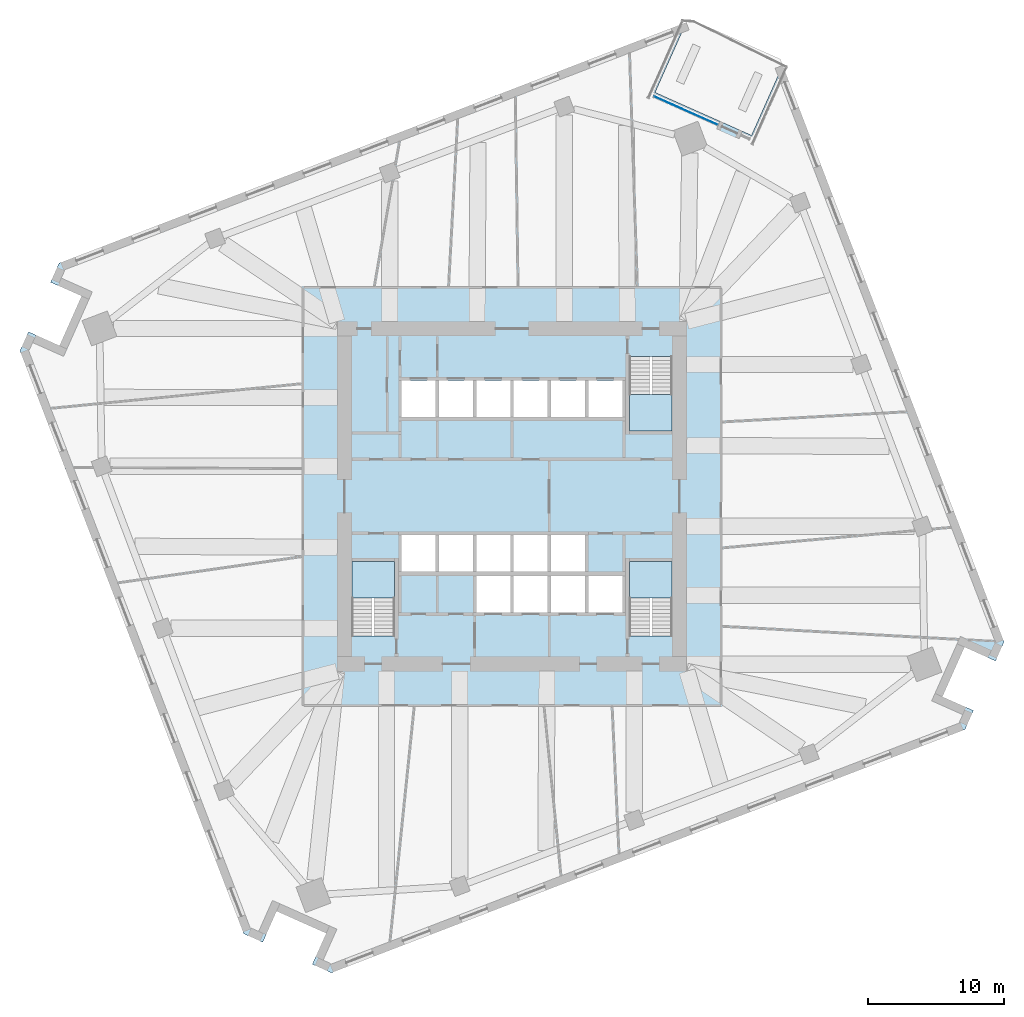
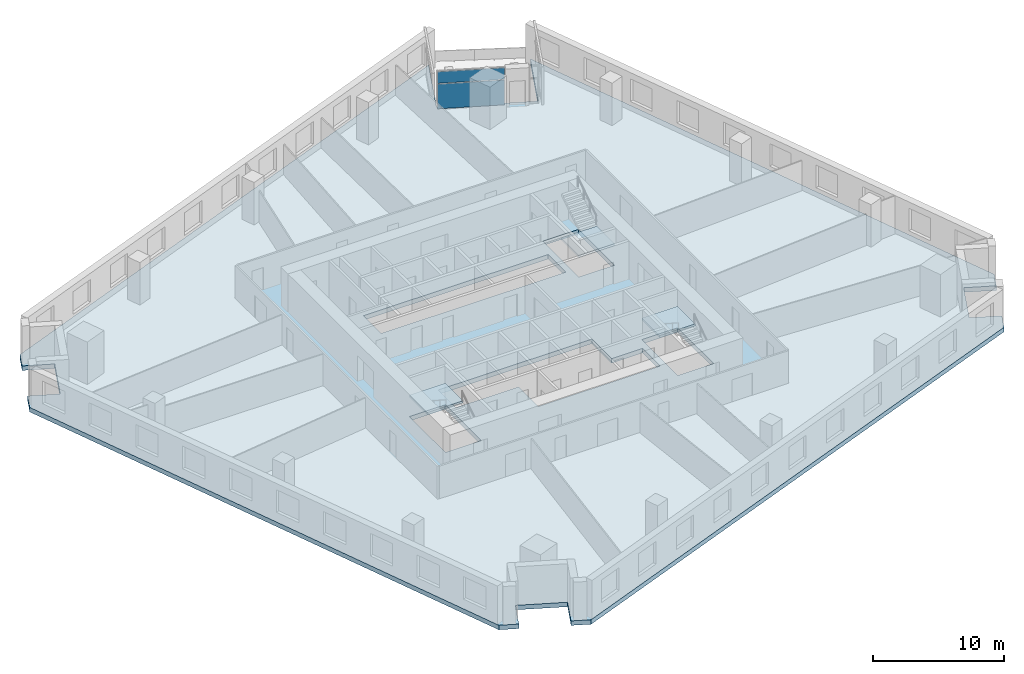
# One storey, part 5 of 14: 4 slabs, 2 plates, 4 elements without a shape of their own.
"""IFC4 building model written with IfcOpenShell, lengths in metres."""

from ifc_helpers import new_model, si_unit, direction, frame, origin, origin_2d, place, context, subcontext, project, spatial, polyline, rectangle, outline, extrude, material, layer, layer_set, type_object, element, aggregate, save


model = new_model("IFC4")

# Units and contexts
model_context = context("Model", 3, precision=1e-05, world=origin(), true_north=direction((0.0, 1.0)))
body_context = subcontext(model_context, "Body", "Model", "MODEL_VIEW")
ifc_project = project(units=[si_unit("LENGTHUNIT", "METRE"), si_unit("AREAUNIT", "SQUARE_METRE"), si_unit("VOLUMEUNIT", "CUBIC_METRE"), si_unit("PLANEANGLEUNIT", "RADIAN"), si_unit("MASSUNIT", "GRAM", prefix="KILO")], contexts=[model_context])

# Site, building, storey
site_placement = place(None, origin())
site = spatial("IfcSite", under=ifc_project, at=site_placement, CompositionType="ELEMENT")
building_placement = place(site_placement, origin())
building = spatial("IfcBuilding", under=site, at=building_placement, Name="Dilmun Exchange Tower", CompositionType="ELEMENT")
storey_placement = place(building_placement, frame((0.0, 0.0, 102.10009765625)))
storey = spatial("IfcBuildingStorey", under=building, at=storey_placement, Name="L23", CompositionType="ELEMENT", Elevation=102.10009765625)

# Stair, slab
ifc_material_1 = material(Name="Concrete C40/50", Category="concrete")
stair_type = type_object("IfcStairType", Name="Exit stair 1500 half-turn", PredefinedType="HALF_TURN_STAIR", material=ifc_material_1)
stair_1_placement = place(storey_placement, origin())
stair_1 = element("IfcStair", 1, at=stair_1_placement, inside=storey, type_object=stair_type, Name="L23 Protected exit stair ST1", PredefinedType="HALF_TURN_STAIR")
ifc_layer_1 = layer(ifc_material_1, 0.199951171875)
ifc_layer_set_1 = layer_set([ifc_layer_1], Name="Concrete C40/50")
slab_type_1 = type_object("IfcSlabType", Name="Exit stair landing 200", PredefinedType="LANDING", material=ifc_layer_set_1)
slab_1_placement = place(storey_placement, frame((0.0, 0.0, 1.7998046875)))
slab_1 = element("IfcSlab", 2, at=slab_1_placement, type_object=slab_type_1, Name="ST1 landing 1", PredefinedType="LANDING", context=body_context, shape_type="SweptSolid", body=[
    extrude(outline(polyline([(8.64990234375, 7.5), (8.64990234375, 4.800048828125), (11.800048828125, 4.800048828125), (11.800048828125, 7.5), (8.64990234375, 7.5)])), origin(), (0.0, 0.0, 1.0), 0.2001953125),
])
aggregate(stair_1, [slab_1])

stair_2_placement = place(storey_placement, origin())
stair_2 = element("IfcStair", 3, at=stair_2_placement, inside=storey, type_object=stair_type, Name="L23 Protected exit stair ST2", PredefinedType="HALF_TURN_STAIR")
slab_2_placement = place(storey_placement, frame((0.0, 0.0, 1.7998046875)))
slab_2 = element("IfcSlab", 4, at=slab_2_placement, type_object=slab_type_1, Name="ST2 landing 1", PredefinedType="LANDING", context=body_context, shape_type="SweptSolid", body=[
    extrude(outline(polyline([(-8.64990234375, -7.5), (-8.64990234375, -4.800048828125), (-11.800048828125, -4.800048828125), (-11.800048828125, -7.5), (-8.64990234375, -7.5)])), origin(), (0.0, 0.0, 1.0), 0.2001953125),
])
aggregate(stair_2, [slab_2])

stair_3_placement = place(storey_placement, origin())
stair_3 = element("IfcStair", 5, at=stair_3_placement, inside=storey, type_object=stair_type, Name="L23 Protected exit stair ST3", PredefinedType="HALF_TURN_STAIR")
slab_3_placement = place(storey_placement, frame((0.0, 0.0, 1.7998046875)))
slab_3 = element("IfcSlab", 6, at=slab_3_placement, type_object=slab_type_1, Name="ST3 landing 1", PredefinedType="LANDING", context=body_context, shape_type="SweptSolid", body=[
    extrude(outline(polyline([(11.800048828125, -7.5), (11.800048828125, -4.800048828125), (8.64990234375, -4.800048828125), (8.64990234375, -7.5), (11.800048828125, -7.5)])), origin(), (0.0, 0.0, 1.0), 0.2001953125),
])
aggregate(stair_3, [slab_3])

# Curtain wall, plates
ifc_material_2 = material(Name="Anodised aluminium and clear glass", Category="aluminium")
curtain_wall_type = type_object("IfcCurtainWallType", Name="Garden corner glazing", PredefinedType="NOTDEFINED", material=ifc_material_2)
curtain_wall_placement = place(storey_placement, origin())
curtain_wall = element("IfcCurtainWall", 7, at=curtain_wall_placement, inside=storey, type_object=curtain_wall_type, Name="Garden corner glazing run GC2.3", PredefinedType="NOTDEFINED")
ifc_material_3 = material(Name="Clear glass", Category="glass")
ifc_layer_2 = layer(ifc_material_3, 0.028076171875)
ifc_layer_set_2 = layer_set([ifc_layer_2], Name="Clear glass")
plate_type = type_object("IfcPlateType", Name="Garden corner glazing glass panel 28", PredefinedType="CURTAIN_PANEL", material=ifc_layer_set_2)
plate_1_placement = place(storey_placement, frame((12.812744140625, 28.42236328125, 0.059814453125), z_axis=(0.0, 0.0, 1.0), x_axis=(-0.913546096719, 0.406735207683, 0.0)))
plate_1 = element("IfcPlate", 8, at=plate_1_placement, type_object=plate_type, Name="GC2.3 panel 1.1", PredefinedType="CURTAIN_PANEL", context=body_context, shape_type="SweptSolid", body=[
    extrude(rectangle(XDim=5.119140625, YDim=0.028076171875, at=origin_2d()), origin(), (0.0, 0.0, 1.0), 2.31005859375),
])
plate_2_placement = place(storey_placement, frame((12.812744140625, 28.42236328125, 2.4296875), z_axis=(0.0, 0.0, 1.0), x_axis=(-0.913546096719, 0.406735207683, 0.0)))
plate_2 = element("IfcPlate", 9, at=plate_2_placement, type_object=plate_type, Name="GC2.3 panel 1.2", PredefinedType="CURTAIN_PANEL", context=body_context, shape_type="SweptSolid", body=[
    extrude(rectangle(XDim=5.119140625, YDim=0.028076171875, at=origin_2d()), origin(), (0.0, 0.0, 1.0), 1.090087890625),
])
aggregate(curtain_wall, [plate_1, plate_2])

# Slab
ifc_layer_3 = layer(ifc_material_1, 0.419921875)
ifc_layer_set_3 = layer_set([ifc_layer_3], Name="Concrete C40/50")
slab_type_2 = type_object("IfcSlabType", Name="RC floor slab 420", PredefinedType="FLOOR", material=ifc_layer_set_3)
slab_4_placement = place(storey_placement, frame((0.0, 0.0, -0.420166015625)))
element("IfcSlab", 10, at=slab_4_placement, inside=storey, type_object=slab_type_2, Name="Floor slab", PredefinedType="FLOOR", context=body_context, shape_type="SweptSolid", body=[
    extrude(outline(polyline([(35.625244140625, -12.1240234375), (33.341552734375, -11.107177734375), (31.714599609375, -14.761474609375), (33.998291015625, -15.7783203125), (33.373779296875, -17.18115234375), (-13.30517578125, -35.099609375), (-14.7080078125, -34.474853515625), (-13.691162109375, -32.19091796875), (-17.34521484375, -30.564208984375), (-18.3623046875, -32.847900390625), (-19.764892578125, -32.223388671875), (-36.25, 10.72119140625), (-35.625244140625, 12.1240234375), (-33.341552734375, 11.107177734375), (-31.714599609375, 14.761474609375), (-33.998291015625, 15.7783203125), (-33.373779296875, 17.18115234375), (12.83837890625, 34.92041015625), (10.541748046875, 29.761962890625), (17.6474609375, 26.598388671875), (19.944091796875, 31.756591796875), (36.25, -10.72119140625), (35.625244140625, -12.1240234375)]), holes=[polyline([(-8.64990234375, -4.800048828125), (-11.800048828125, -4.800048828125), (-11.800048828125, -10.294921875), (-8.64990234375, -10.294921875), (-8.64990234375, -4.800048828125)]), polyline([(11.800048828125, -4.800048828125), (8.64990234375, -4.800048828125), (8.64990234375, -10.294921875), (11.800048828125, -10.294921875), (11.800048828125, -4.800048828125)]), polyline([(-8.125, -2.85009765625), (-8.125, -5.550048828125), (-2.625, -5.550048828125), (-2.625, -8.550048828125), (8.125, -8.550048828125), (8.125, -5.85009765625), (5.375, -5.85009765625), (5.375, -2.85009765625), (-8.125, -2.85009765625)]), polyline([(-8.125, 5.85009765625), (8.125, 5.85009765625), (8.125, 8.550048828125), (-8.125, 8.550048828125), (-8.125, 5.85009765625)]), polyline([(8.64990234375, 10.294921875), (8.64990234375, 4.800048828125), (11.800048828125, 4.800048828125), (11.800048828125, 10.294921875), (8.64990234375, 10.294921875)])]), origin(), (0.0, 0.0, 1.0), 0.420166015625),
])

save(model, "model.ifc")
